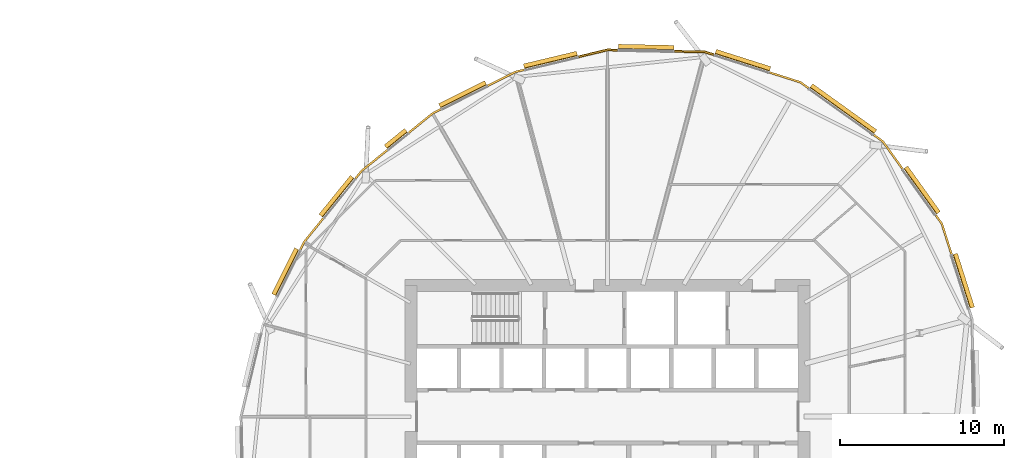
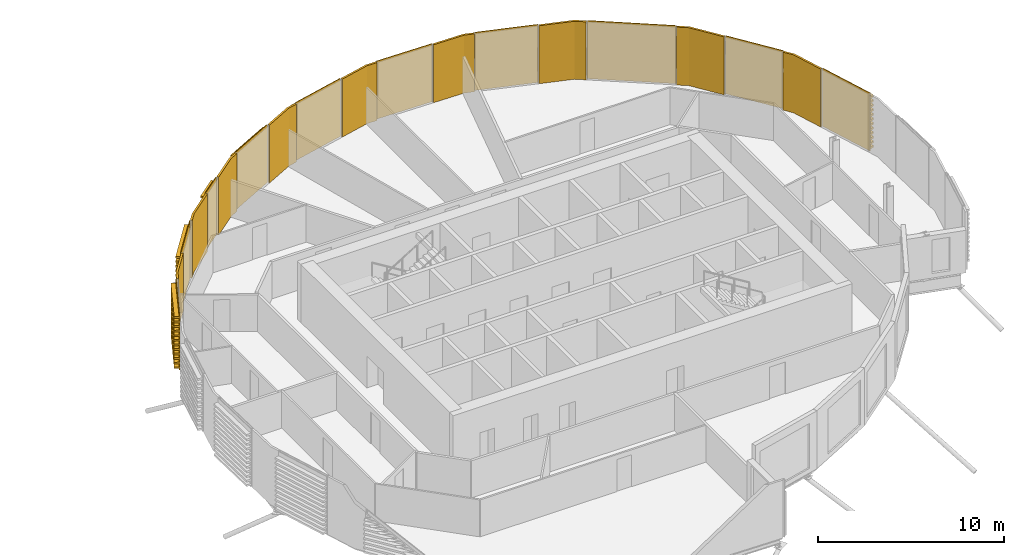
# One storey, part 42 of 42: 19 coverings.
"""IFC4 building model written with IfcOpenShell, lengths in metres."""

from ifc_helpers import new_model, si_unit, direction, frame, origin, place, context, subcontext, project, spatial, polyline, outline, extrude, material, layer, layer_set, material_profile, profile_set, type_object, element, save


model = new_model("IFC4")

# Units and contexts
model_context = context("Model", 3, precision=1e-05, world=origin(), true_north=direction((0.0, 1.0)))
body_context = subcontext(model_context, "Body", "Model", "MODEL_VIEW")
ifc_project = project(units=[si_unit("LENGTHUNIT", "METRE"), si_unit("AREAUNIT", "SQUARE_METRE"), si_unit("VOLUMEUNIT", "CUBIC_METRE"), si_unit("PLANEANGLEUNIT", "RADIAN"), si_unit("MASSUNIT", "GRAM", prefix="KILO")], contexts=[model_context])

# Site, building, storey
site_placement = place(None, origin())
site = spatial("IfcSite", under=ifc_project, at=site_placement, CompositionType="ELEMENT")
building_placement = place(site_placement, origin())
building = spatial("IfcBuilding", under=site, at=building_placement, Name="Rimbun Link Towers", CompositionType="ELEMENT")
storey_placement = place(building_placement, frame((0.0, 0.0, 85.39990234375)))
storey = spatial("IfcBuildingStorey", under=building, at=storey_placement, Name="L20", CompositionType="ELEMENT", Elevation=85.39990234375)

# Coverings
ifc_material_1 = material(Name="Terracotta", Category="masonry")
ifc_layer = layer(ifc_material_1, 0.1201171875)
ifc_layer_set = layer_set([ifc_layer], Name="LINK PIER terracotta cladding 120")
covering_type_1 = type_object("IfcCoveringType", Name="LINK PIER terracotta cladding 120", PredefinedType="CLADDING", material=ifc_layer_set)
covering_1_placement = place(storey_placement, origin())
element("IfcCovering", 1, at=covering_1_placement, inside=storey, type_object=covering_type_1, Name="LINK PIER cladding", PredefinedType="CLADDING", context=body_context, shape_type="SweptSolid", body=[
    extrude(outline(polyline([(47.96826171875, 17.1533203125), (48.5126953125, 16.7626953125), (49.719482421875, 15.080810546875), (49.81689453125, 15.150634765625), (48.5986328125, 16.8486328125), (48.0380859375, 17.250732421875), (47.96826171875, 17.1533203125)])), origin(), (0.0, 0.0, 1.0), 3.800048828125),
])
covering_2_placement = place(storey_placement, origin())
element("IfcCovering", 2, at=covering_2_placement, inside=storey, type_object=covering_type_1, Name="LINK PIER cladding", PredefinedType="CLADDING", context=body_context, shape_type="SweptSolid", body=[
    extrude(outline(polyline([(41.625732421875, 20.954345703125), (43.503173828125, 20.357177734375), (44.0068359375, 19.995849609375), (44.076904296875, 20.09326171875), (43.5576171875, 20.4658203125), (41.662109375, 21.068603515625), (41.625732421875, 20.954345703125)])), origin(), (0.0, 0.0, 1.0), 3.800048828125),
])
covering_3_placement = place(storey_placement, origin())
element("IfcCovering", 3, at=covering_3_placement, inside=storey, type_object=covering_type_1, Name="LINK PIER cladding", PredefinedType="CLADDING", context=body_context, shape_type="SweptSolid", body=[
    extrude(outline(polyline([(35.829833984375, 22.242431640625), (37.69921875, 22.202880859375), (38.242431640625, 22.0302734375), (38.27880859375, 22.14453125), (37.71923828125, 22.322509765625), (35.832275390625, 22.3623046875), (35.829833984375, 22.242431640625)])), origin(), (0.0, 0.0, 1.0), 3.800048828125),
])
covering_4_placement = place(storey_placement, origin())
element("IfcCovering", 4, at=covering_4_placement, inside=storey, type_object=covering_type_1, Name="LINK PIER cladding", PredefinedType="CLADDING", context=body_context, shape_type="SweptSolid", body=[
    extrude(outline(polyline([(29.97998046875, 21.905029296875), (31.75, 22.328369140625), (32.369873046875, 22.315185546875), (32.372314453125, 22.435302734375), (31.737060546875, 22.448486328125), (29.951904296875, 22.021728515625), (29.97998046875, 21.905029296875)])), origin(), (0.0, 0.0, 1.0), 3.800048828125),
])
covering_5_placement = place(storey_placement, origin())
element("IfcCovering", 5, at=covering_5_placement, inside=storey, type_object=covering_type_1, Name="LINK PIER cladding", PredefinedType="CLADDING", context=body_context, shape_type="SweptSolid", body=[
    extrude(outline(polyline([(24.456298828125, 20.14453125), (26.12744140625, 20.983642578125), (26.681884765625, 21.1162109375), (26.65380859375, 21.23291015625), (26.0859375, 21.09716796875), (24.40234375, 20.251708984375), (24.456298828125, 20.14453125)])), origin(), (0.0, 0.0, 1.0), 3.800048828125),
])
covering_6_placement = place(storey_placement, origin())
element("IfcCovering", 6, at=covering_6_placement, inside=storey, type_object=covering_type_1, Name="LINK PIER cladding", PredefinedType="CLADDING", context=body_context, shape_type="SweptSolid", body=[
    extrude(outline(polyline([(19.640869140625, 17.279541015625), (21.094482421875, 18.4560546875), (21.603759765625, 18.7119140625), (21.5498046875, 18.819091796875), (21.029052734375, 18.5576171875), (19.5654296875, 17.372802734375), (19.640869140625, 17.279541015625)])), origin(), (0.0, 0.0, 1.0), 3.800048828125),
])
covering_7_placement = place(storey_placement, origin())
element("IfcCovering", 7, at=covering_7_placement, inside=storey, type_object=covering_type_1, Name="LINK PIER cladding", PredefinedType="CLADDING", context=body_context, shape_type="SweptSolid", body=[
    extrude(outline(polyline([(16.393310546875, 14.484619140625), (16.783447265625, 14.966552734375), (18.353515625, 16.237548828125), (18.278076171875, 16.330810546875), (16.697998046875, 15.052001953125), (16.300048828125, 14.560302734375), (16.393310546875, 14.484619140625)])), origin(), (0.0, 0.0, 1.0), 3.800048828125),
])
covering_8_placement = place(storey_placement, origin())
element("IfcCovering", 8, at=covering_8_placement, inside=storey, type_object=covering_type_1, Name="LINK PIER cladding", PredefinedType="CLADDING", context=body_context, shape_type="SweptSolid", body=[
    extrude(outline(polyline([(13.0380859375, 10.146240234375), (13.2939453125, 10.655517578125), (14.43896484375, 12.0703125), (14.345703125, 12.145751953125), (13.1923828125, 10.720947265625), (12.930908203125, 10.2001953125), (13.0380859375, 10.146240234375)])), origin(), (0.0, 0.0, 1.0), 3.800048828125),
])
covering_9_placement = place(storey_placement, origin())
element("IfcCovering", 9, at=covering_9_placement, inside=storey, type_object=covering_type_1, Name="LINK PIER cladding", PredefinedType="CLADDING", context=body_context, shape_type="SweptSolid", body=[
    extrude(outline(polyline([(51.745849609375, 12.2568359375), (52.107177734375, 11.753173828125), (52.704345703125, 9.875732421875), (52.818603515625, 9.912109375), (52.2158203125, 11.8076171875), (51.84326171875, 12.326904296875), (51.745849609375, 12.2568359375)])), origin(), (0.0, 0.0, 1.0), 3.800048828125),
])
ifc_material_2 = material(Name="Terracotta", Category="masonry")
ifc_material_profile = material_profile(ifc_material_2, outline(polyline([(0.123046875, 0.0), (0.1630859375, 0.0), (0.1630859375, 0.10009765625), (0.423095703125, 0.10009765625), (0.423095703125, 0.219970703125), (0.1630859375, 0.219970703125), (0.1630859375, 0.39990234375), (0.423095703125, 0.39990234375), (0.423095703125, 0.52001953125), (0.1630859375, 0.52001953125), (0.1630859375, 0.699951171875), (0.423095703125, 0.699951171875), (0.423095703125, 0.820068359375), (0.1630859375, 0.820068359375), (0.1630859375, 1.0), (0.423095703125, 1.0), (0.423095703125, 1.1201171875), (0.1630859375, 1.1201171875), (0.1630859375, 1.300048828125), (0.423095703125, 1.300048828125), (0.423095703125, 1.419921875), (0.1630859375, 1.419921875), (0.1630859375, 1.60009765625), (0.423095703125, 1.60009765625), (0.423095703125, 1.719970703125), (0.1630859375, 1.719970703125), (0.1630859375, 1.89990234375), (0.423095703125, 1.89990234375), (0.423095703125, 2.02001953125), (0.1630859375, 2.02001953125), (0.1630859375, 2.199951171875), (0.423095703125, 2.199951171875), (0.423095703125, 2.320068359375), (0.1630859375, 2.320068359375), (0.1630859375, 2.5), (0.423095703125, 2.5), (0.423095703125, 2.6201171875), (0.1630859375, 2.6201171875), (0.1630859375, 2.800048828125), (0.423095703125, 2.800048828125), (0.423095703125, 2.919921875), (0.1630859375, 2.919921875), (0.1630859375, 3.10009765625), (0.423095703125, 3.10009765625), (0.423095703125, 3.219970703125), (0.1630859375, 3.219970703125), (0.1630859375, 3.39990234375), (0.423095703125, 3.39990234375), (0.423095703125, 3.52001953125), (0.1630859375, 3.52001953125), (0.1630859375, 3.800048828125), (0.123046875, 3.800048828125), (0.123046875, 0.0)])), Name="BAGUETTE 120X300")
ifc_profile_set = profile_set([ifc_material_profile], Name="Terracotta")
covering_type_2 = type_object("IfcCoveringType", Name="TERRACOTTA BAGUETTE 120X300 H3800", PredefinedType="CLADDING", material=ifc_profile_set)
covering_10_placement = place(storey_placement, frame((44.03125, 19.978271484375, 0.0), z_axis=(0.812464121007, -0.583011193784, 0.0), x_axis=(0.583011193784, 0.812464121007, 0.0)))
element("IfcCovering", 10, at=covering_10_placement, inside=storey, type_object=covering_type_2, Name="TERRACOTTA BAGUETTE", PredefinedType="CLADDING", context=body_context, shape_type="SweptSolid", body=[
    extrude(outline(polyline([(0.123046875, 0.0), (0.1630859375, 0.0), (0.1630859375, 0.10009765625), (0.423095703125, 0.10009765625), (0.423095703125, 0.219970703125), (0.1630859375, 0.219970703125), (0.1630859375, 0.39990234375), (0.423095703125, 0.39990234375), (0.423095703125, 0.52001953125), (0.1630859375, 0.52001953125), (0.1630859375, 0.699951171875), (0.423095703125, 0.699951171875), (0.423095703125, 0.820068359375), (0.1630859375, 0.820068359375), (0.1630859375, 1.0), (0.423095703125, 1.0), (0.423095703125, 1.1201171875), (0.1630859375, 1.1201171875), (0.1630859375, 1.300048828125), (0.423095703125, 1.300048828125), (0.423095703125, 1.419921875), (0.1630859375, 1.419921875), (0.1630859375, 1.60009765625), (0.423095703125, 1.60009765625), (0.423095703125, 1.719970703125), (0.1630859375, 1.719970703125), (0.1630859375, 1.89990234375), (0.423095703125, 1.89990234375), (0.423095703125, 2.02001953125), (0.1630859375, 2.02001953125), (0.1630859375, 2.199951171875), (0.423095703125, 2.199951171875), (0.423095703125, 2.320068359375), (0.1630859375, 2.320068359375), (0.1630859375, 2.5), (0.423095703125, 2.5), (0.423095703125, 2.6201171875), (0.1630859375, 2.6201171875), (0.1630859375, 2.800048828125), (0.423095703125, 2.800048828125), (0.423095703125, 2.919921875), (0.1630859375, 2.919921875), (0.1630859375, 3.10009765625), (0.423095703125, 3.10009765625), (0.423095703125, 3.219970703125), (0.1630859375, 3.219970703125), (0.1630859375, 3.39990234375), (0.423095703125, 3.39990234375), (0.423095703125, 3.52001953125), (0.1630859375, 3.52001953125), (0.1630859375, 3.800048828125), (0.123046875, 3.800048828125), (0.123046875, 0.0)])), origin(), (0.0, 0.0, 1.0), 4.815673828125),
])
covering_11_placement = place(storey_placement, frame((38.27099609375, 22.021240234375, 0.0), z_axis=(0.952964354956, -0.30308239504, 0.0), x_axis=(0.30308239504, 0.952964354956, 0.0)))
element("IfcCovering", 11, at=covering_11_placement, inside=storey, type_object=covering_type_2, Name="TERRACOTTA BAGUETTE", PredefinedType="CLADDING", context=body_context, shape_type="SweptSolid", body=[
    extrude(outline(polyline([(0.123046875, 0.0), (0.1630859375, 0.0), (0.1630859375, 0.10009765625), (0.423095703125, 0.10009765625), (0.423095703125, 0.219970703125), (0.1630859375, 0.219970703125), (0.1630859375, 0.39990234375), (0.423095703125, 0.39990234375), (0.423095703125, 0.52001953125), (0.1630859375, 0.52001953125), (0.1630859375, 0.699951171875), (0.423095703125, 0.699951171875), (0.423095703125, 0.820068359375), (0.1630859375, 0.820068359375), (0.1630859375, 1.0), (0.423095703125, 1.0), (0.423095703125, 1.1201171875), (0.1630859375, 1.1201171875), (0.1630859375, 1.300048828125), (0.423095703125, 1.300048828125), (0.423095703125, 1.419921875), (0.1630859375, 1.419921875), (0.1630859375, 1.60009765625), (0.423095703125, 1.60009765625), (0.423095703125, 1.719970703125), (0.1630859375, 1.719970703125), (0.1630859375, 1.89990234375), (0.423095703125, 1.89990234375), (0.423095703125, 2.02001953125), (0.1630859375, 2.02001953125), (0.1630859375, 2.199951171875), (0.423095703125, 2.199951171875), (0.423095703125, 2.320068359375), (0.1630859375, 2.320068359375), (0.1630859375, 2.5), (0.423095703125, 2.5), (0.423095703125, 2.6201171875), (0.1630859375, 2.6201171875), (0.1630859375, 2.800048828125), (0.423095703125, 2.800048828125), (0.423095703125, 2.919921875), (0.1630859375, 2.919921875), (0.1630859375, 3.10009765625), (0.423095703125, 3.10009765625), (0.423095703125, 3.219970703125), (0.1630859375, 3.219970703125), (0.1630859375, 3.39990234375), (0.423095703125, 3.39990234375), (0.423095703125, 3.52001953125), (0.1630859375, 3.52001953125), (0.1630859375, 3.800048828125), (0.123046875, 3.800048828125), (0.123046875, 0.0)])), origin(), (0.0, 0.0, 1.0), 3.490234375),
])
covering_12_placement = place(storey_placement, frame((32.39990234375, 22.314697265625, 0.0), z_axis=(0.999777224853, -0.021106886694, 0.0), x_axis=(0.021106886694, 0.999777224853, 0.0)))
element("IfcCovering", 12, at=covering_12_placement, inside=storey, type_object=covering_type_2, Name="TERRACOTTA BAGUETTE", PredefinedType="CLADDING", context=body_context, shape_type="SweptSolid", body=[
    extrude(outline(polyline([(0.123046875, 0.0), (0.1630859375, 0.0), (0.1630859375, 0.10009765625), (0.423095703125, 0.10009765625), (0.423095703125, 0.219970703125), (0.1630859375, 0.219970703125), (0.1630859375, 0.39990234375), (0.423095703125, 0.39990234375), (0.423095703125, 0.52001953125), (0.1630859375, 0.52001953125), (0.1630859375, 0.699951171875), (0.423095703125, 0.699951171875), (0.423095703125, 0.820068359375), (0.1630859375, 0.820068359375), (0.1630859375, 1.0), (0.423095703125, 1.0), (0.423095703125, 1.1201171875), (0.1630859375, 1.1201171875), (0.1630859375, 1.300048828125), (0.423095703125, 1.300048828125), (0.423095703125, 1.419921875), (0.1630859375, 1.419921875), (0.1630859375, 1.60009765625), (0.423095703125, 1.60009765625), (0.423095703125, 1.719970703125), (0.1630859375, 1.719970703125), (0.1630859375, 1.89990234375), (0.423095703125, 1.89990234375), (0.423095703125, 2.02001953125), (0.1630859375, 2.02001953125), (0.1630859375, 2.199951171875), (0.423095703125, 2.199951171875), (0.423095703125, 2.320068359375), (0.1630859375, 2.320068359375), (0.1630859375, 2.5), (0.423095703125, 2.5), (0.423095703125, 2.6201171875), (0.1630859375, 2.6201171875), (0.1630859375, 2.800048828125), (0.423095703125, 2.800048828125), (0.423095703125, 2.919921875), (0.1630859375, 2.919921875), (0.1630859375, 3.10009765625), (0.423095703125, 3.10009765625), (0.423095703125, 3.219970703125), (0.1630859375, 3.219970703125), (0.1630859375, 3.39990234375), (0.423095703125, 3.39990234375), (0.423095703125, 3.52001953125), (0.1630859375, 3.52001953125), (0.1630859375, 3.800048828125), (0.123046875, 3.800048828125), (0.123046875, 0.0)])), origin(), (0.0, 0.0, 1.0), 3.400634765625),
])
covering_13_placement = place(storey_placement, frame((26.7109375, 21.123291015625, 0.0), z_axis=(0.972583216264, 0.232555127747, 0.0), x_axis=(-0.232555127747, 0.972583216264, 0.0)))
element("IfcCovering", 13, at=covering_13_placement, inside=storey, type_object=covering_type_2, Name="TERRACOTTA BAGUETTE", PredefinedType="CLADDING", context=body_context, shape_type="SweptSolid", body=[
    extrude(outline(polyline([(0.123046875, 0.0), (0.1630859375, 0.0), (0.1630859375, 0.10009765625), (0.423095703125, 0.10009765625), (0.423095703125, 0.219970703125), (0.1630859375, 0.219970703125), (0.1630859375, 0.39990234375), (0.423095703125, 0.39990234375), (0.423095703125, 0.52001953125), (0.1630859375, 0.52001953125), (0.1630859375, 0.699951171875), (0.423095703125, 0.699951171875), (0.423095703125, 0.820068359375), (0.1630859375, 0.820068359375), (0.1630859375, 1.0), (0.423095703125, 1.0), (0.423095703125, 1.1201171875), (0.1630859375, 1.1201171875), (0.1630859375, 1.300048828125), (0.423095703125, 1.300048828125), (0.423095703125, 1.419921875), (0.1630859375, 1.419921875), (0.1630859375, 1.60009765625), (0.423095703125, 1.60009765625), (0.423095703125, 1.719970703125), (0.1630859375, 1.719970703125), (0.1630859375, 1.89990234375), (0.423095703125, 1.89990234375), (0.423095703125, 2.02001953125), (0.1630859375, 2.02001953125), (0.1630859375, 2.199951171875), (0.423095703125, 2.199951171875), (0.423095703125, 2.320068359375), (0.1630859375, 2.320068359375), (0.1630859375, 2.5), (0.423095703125, 2.5), (0.423095703125, 2.6201171875), (0.1630859375, 2.6201171875), (0.1630859375, 2.800048828125), (0.423095703125, 2.800048828125), (0.423095703125, 2.919921875), (0.1630859375, 2.919921875), (0.1630859375, 3.10009765625), (0.423095703125, 3.10009765625), (0.423095703125, 3.219970703125), (0.1630859375, 3.219970703125), (0.1630859375, 3.39990234375), (0.423095703125, 3.39990234375), (0.423095703125, 3.52001953125), (0.1630859375, 3.52001953125), (0.1630859375, 3.800048828125), (0.123046875, 3.800048828125), (0.123046875, 0.0)])), origin(), (0.0, 0.0, 1.0), 3.3310546875),
])
covering_14_placement = place(storey_placement, frame((21.630615234375, 18.725341796875, 0.0), z_axis=(0.893615044869, 0.448834213918, 0.0), x_axis=(-0.448834213918, 0.893615044869, 0.0)))
element("IfcCovering", 14, at=covering_14_placement, inside=storey, type_object=covering_type_2, Name="TERRACOTTA BAGUETTE", PredefinedType="CLADDING", context=body_context, shape_type="SweptSolid", body=[
    extrude(outline(polyline([(0.123046875, 0.0), (0.1630859375, 0.0), (0.1630859375, 0.10009765625), (0.423095703125, 0.10009765625), (0.423095703125, 0.219970703125), (0.1630859375, 0.219970703125), (0.1630859375, 0.39990234375), (0.423095703125, 0.39990234375), (0.423095703125, 0.52001953125), (0.1630859375, 0.52001953125), (0.1630859375, 0.699951171875), (0.423095703125, 0.699951171875), (0.423095703125, 0.820068359375), (0.1630859375, 0.820068359375), (0.1630859375, 1.0), (0.423095703125, 1.0), (0.423095703125, 1.1201171875), (0.1630859375, 1.1201171875), (0.1630859375, 1.300048828125), (0.423095703125, 1.300048828125), (0.423095703125, 1.419921875), (0.1630859375, 1.419921875), (0.1630859375, 1.60009765625), (0.423095703125, 1.60009765625), (0.423095703125, 1.719970703125), (0.1630859375, 1.719970703125), (0.1630859375, 1.89990234375), (0.423095703125, 1.89990234375), (0.423095703125, 2.02001953125), (0.1630859375, 2.02001953125), (0.1630859375, 2.199951171875), (0.423095703125, 2.199951171875), (0.423095703125, 2.320068359375), (0.1630859375, 2.320068359375), (0.1630859375, 2.5), (0.423095703125, 2.5), (0.423095703125, 2.6201171875), (0.1630859375, 2.6201171875), (0.1630859375, 2.800048828125), (0.423095703125, 2.800048828125), (0.423095703125, 2.919921875), (0.1630859375, 2.919921875), (0.1630859375, 3.10009765625), (0.423095703125, 3.10009765625), (0.423095703125, 3.219970703125), (0.1630859375, 3.219970703125), (0.1630859375, 3.39990234375), (0.423095703125, 3.39990234375), (0.423095703125, 3.52001953125), (0.1630859375, 3.52001953125), (0.1630859375, 3.800048828125), (0.123046875, 3.800048828125), (0.123046875, 0.0)])), origin(), (0.0, 0.0, 1.0), 3.132080078125),
])
covering_15_placement = place(storey_placement, frame((18.376708984375, 16.25634765625, 0.0), z_axis=(0.777305407687, 0.629123440336, 0.0), x_axis=(-0.629123440336, 0.777305407687, 0.0)))
element("IfcCovering", 15, at=covering_15_placement, inside=storey, type_object=covering_type_2, Name="TERRACOTTA BAGUETTE", PredefinedType="CLADDING", context=body_context, shape_type="SweptSolid", body=[
    extrude(outline(polyline([(0.123046875, 0.0), (0.1630859375, 0.0), (0.1630859375, 0.10009765625), (0.423095703125, 0.10009765625), (0.423095703125, 0.219970703125), (0.1630859375, 0.219970703125), (0.1630859375, 0.39990234375), (0.423095703125, 0.39990234375), (0.423095703125, 0.52001953125), (0.1630859375, 0.52001953125), (0.1630859375, 0.699951171875), (0.423095703125, 0.699951171875), (0.423095703125, 0.820068359375), (0.1630859375, 0.820068359375), (0.1630859375, 1.0), (0.423095703125, 1.0), (0.423095703125, 1.1201171875), (0.1630859375, 1.1201171875), (0.1630859375, 1.300048828125), (0.423095703125, 1.300048828125), (0.423095703125, 1.419921875), (0.1630859375, 1.419921875), (0.1630859375, 1.60009765625), (0.423095703125, 1.60009765625), (0.423095703125, 1.719970703125), (0.1630859375, 1.719970703125), (0.1630859375, 1.89990234375), (0.423095703125, 1.89990234375), (0.423095703125, 2.02001953125), (0.1630859375, 2.02001953125), (0.1630859375, 2.199951171875), (0.423095703125, 2.199951171875), (0.423095703125, 2.320068359375), (0.1630859375, 2.320068359375), (0.1630859375, 2.5), (0.423095703125, 2.5), (0.423095703125, 2.6201171875), (0.1630859375, 2.6201171875), (0.1630859375, 2.800048828125), (0.423095703125, 2.800048828125), (0.423095703125, 2.919921875), (0.1630859375, 2.919921875), (0.1630859375, 3.10009765625), (0.423095703125, 3.10009765625), (0.423095703125, 3.219970703125), (0.1630859375, 3.219970703125), (0.1630859375, 3.39990234375), (0.423095703125, 3.39990234375), (0.423095703125, 3.52001953125), (0.1630859375, 3.52001953125), (0.1630859375, 3.800048828125), (0.123046875, 3.800048828125), (0.123046875, 0.0)])), origin(), (0.0, 0.0, 1.0), 1.596435546875),
])
covering_16_placement = place(storey_placement, frame((14.457763671875, 12.093505859375, 0.0), z_axis=(0.629170563879, 0.777267265198, 0.0), x_axis=(-0.777267265198, 0.629170563879, 0.0)))
element("IfcCovering", 16, at=covering_16_placement, inside=storey, type_object=covering_type_2, Name="TERRACOTTA BAGUETTE", PredefinedType="CLADDING", context=body_context, shape_type="SweptSolid", body=[
    extrude(outline(polyline([(0.123046875, 0.0), (0.1630859375, 0.0), (0.1630859375, 0.10009765625), (0.423095703125, 0.10009765625), (0.423095703125, 0.219970703125), (0.1630859375, 0.219970703125), (0.1630859375, 0.39990234375), (0.423095703125, 0.39990234375), (0.423095703125, 0.52001953125), (0.1630859375, 0.52001953125), (0.1630859375, 0.699951171875), (0.423095703125, 0.699951171875), (0.423095703125, 0.820068359375), (0.1630859375, 0.820068359375), (0.1630859375, 1.0), (0.423095703125, 1.0), (0.423095703125, 1.1201171875), (0.1630859375, 1.1201171875), (0.1630859375, 1.300048828125), (0.423095703125, 1.300048828125), (0.423095703125, 1.419921875), (0.1630859375, 1.419921875), (0.1630859375, 1.60009765625), (0.423095703125, 1.60009765625), (0.423095703125, 1.719970703125), (0.1630859375, 1.719970703125), (0.1630859375, 1.89990234375), (0.423095703125, 1.89990234375), (0.423095703125, 2.02001953125), (0.1630859375, 2.02001953125), (0.1630859375, 2.199951171875), (0.423095703125, 2.199951171875), (0.423095703125, 2.320068359375), (0.1630859375, 2.320068359375), (0.1630859375, 2.5), (0.423095703125, 2.5), (0.423095703125, 2.6201171875), (0.1630859375, 2.6201171875), (0.1630859375, 2.800048828125), (0.423095703125, 2.800048828125), (0.423095703125, 2.919921875), (0.1630859375, 2.919921875), (0.1630859375, 3.10009765625), (0.423095703125, 3.10009765625), (0.423095703125, 3.219970703125), (0.1630859375, 3.219970703125), (0.1630859375, 3.39990234375), (0.423095703125, 3.39990234375), (0.423095703125, 3.52001953125), (0.1630859375, 3.52001953125), (0.1630859375, 3.800048828125), (0.123046875, 3.800048828125), (0.123046875, 0.0)])), origin(), (0.0, 0.0, 1.0), 3.04638671875),
])
covering_17_placement = place(storey_placement, frame((11.618896484375, 7.320556640625, 0.0), z_axis=(0.448834213918, 0.893615044869, 0.0), x_axis=(-0.893615044869, 0.448834213918, 0.0)))
element("IfcCovering", 17, at=covering_17_placement, inside=storey, type_object=covering_type_2, Name="TERRACOTTA BAGUETTE", PredefinedType="CLADDING", context=body_context, shape_type="SweptSolid", body=[
    extrude(outline(polyline([(0.123046875, 0.0), (0.1630859375, 0.0), (0.1630859375, 0.10009765625), (0.423095703125, 0.10009765625), (0.423095703125, 0.219970703125), (0.1630859375, 0.219970703125), (0.1630859375, 0.39990234375), (0.423095703125, 0.39990234375), (0.423095703125, 0.52001953125), (0.1630859375, 0.52001953125), (0.1630859375, 0.699951171875), (0.423095703125, 0.699951171875), (0.423095703125, 0.820068359375), (0.1630859375, 0.820068359375), (0.1630859375, 1.0), (0.423095703125, 1.0), (0.423095703125, 1.1201171875), (0.1630859375, 1.1201171875), (0.1630859375, 1.300048828125), (0.423095703125, 1.300048828125), (0.423095703125, 1.419921875), (0.1630859375, 1.419921875), (0.1630859375, 1.60009765625), (0.423095703125, 1.60009765625), (0.423095703125, 1.719970703125), (0.1630859375, 1.719970703125), (0.1630859375, 1.89990234375), (0.423095703125, 1.89990234375), (0.423095703125, 2.02001953125), (0.1630859375, 2.02001953125), (0.1630859375, 2.199951171875), (0.423095703125, 2.199951171875), (0.423095703125, 2.320068359375), (0.1630859375, 2.320068359375), (0.1630859375, 2.5), (0.423095703125, 2.5), (0.423095703125, 2.6201171875), (0.1630859375, 2.6201171875), (0.1630859375, 2.800048828125), (0.423095703125, 2.800048828125), (0.423095703125, 2.919921875), (0.1630859375, 2.919921875), (0.1630859375, 3.10009765625), (0.423095703125, 3.10009765625), (0.423095703125, 3.219970703125), (0.1630859375, 3.219970703125), (0.1630859375, 3.39990234375), (0.423095703125, 3.39990234375), (0.423095703125, 3.52001953125), (0.1630859375, 3.52001953125), (0.1630859375, 3.800048828125), (0.123046875, 3.800048828125), (0.123046875, 0.0)])), origin(), (0.0, 0.0, 1.0), 3.132080078125),
])
covering_18_placement = place(storey_placement, frame((52.71337890625, 9.84716796875, 0.0), z_axis=(0.303104060842, -0.952957464057, 0.0), x_axis=(0.952957464057, 0.303104060842, 0.0)))
element("IfcCovering", 18, at=covering_18_placement, inside=storey, type_object=covering_type_2, Name="TERRACOTTA BAGUETTE", PredefinedType="CLADDING", context=body_context, shape_type="SweptSolid", body=[
    extrude(outline(polyline([(0.123046875, 0.0), (0.1630859375, 0.0), (0.1630859375, 0.10009765625), (0.423095703125, 0.10009765625), (0.423095703125, 0.219970703125), (0.1630859375, 0.219970703125), (0.1630859375, 0.39990234375), (0.423095703125, 0.39990234375), (0.423095703125, 0.52001953125), (0.1630859375, 0.52001953125), (0.1630859375, 0.699951171875), (0.423095703125, 0.699951171875), (0.423095703125, 0.820068359375), (0.1630859375, 0.820068359375), (0.1630859375, 1.0), (0.423095703125, 1.0), (0.423095703125, 1.1201171875), (0.1630859375, 1.1201171875), (0.1630859375, 1.300048828125), (0.423095703125, 1.300048828125), (0.423095703125, 1.419921875), (0.1630859375, 1.419921875), (0.1630859375, 1.60009765625), (0.423095703125, 1.60009765625), (0.423095703125, 1.719970703125), (0.1630859375, 1.719970703125), (0.1630859375, 1.89990234375), (0.423095703125, 1.89990234375), (0.423095703125, 2.02001953125), (0.1630859375, 2.02001953125), (0.1630859375, 2.199951171875), (0.423095703125, 2.199951171875), (0.423095703125, 2.320068359375), (0.1630859375, 2.320068359375), (0.1630859375, 2.5), (0.423095703125, 2.5), (0.423095703125, 2.6201171875), (0.1630859375, 2.6201171875), (0.1630859375, 2.800048828125), (0.423095703125, 2.800048828125), (0.423095703125, 2.919921875), (0.1630859375, 2.919921875), (0.1630859375, 3.10009765625), (0.423095703125, 3.10009765625), (0.423095703125, 3.219970703125), (0.1630859375, 3.219970703125), (0.1630859375, 3.39990234375), (0.423095703125, 3.39990234375), (0.423095703125, 3.52001953125), (0.1630859375, 3.52001953125), (0.1630859375, 3.800048828125), (0.123046875, 3.800048828125), (0.123046875, 0.0)])), origin(), (0.0, 0.0, 1.0), 3.440185546875),
])
covering_19_placement = place(storey_placement, frame((49.73681640625, 15.056396484375, 0.0), z_axis=(0.583021739136, -0.812456553728, 0.0), x_axis=(0.812456553728, 0.583021739136, 0.0)))
element("IfcCovering", 19, at=covering_19_placement, inside=storey, type_object=covering_type_2, Name="TERRACOTTA BAGUETTE", PredefinedType="CLADDING", context=body_context, shape_type="SweptSolid", body=[
    extrude(outline(polyline([(0.123046875, 0.0), (0.1630859375, 0.0), (0.1630859375, 0.10009765625), (0.423095703125, 0.10009765625), (0.423095703125, 0.219970703125), (0.1630859375, 0.219970703125), (0.1630859375, 0.39990234375), (0.423095703125, 0.39990234375), (0.423095703125, 0.52001953125), (0.1630859375, 0.52001953125), (0.1630859375, 0.699951171875), (0.423095703125, 0.699951171875), (0.423095703125, 0.820068359375), (0.1630859375, 0.820068359375), (0.1630859375, 1.0), (0.423095703125, 1.0), (0.423095703125, 1.1201171875), (0.1630859375, 1.1201171875), (0.1630859375, 1.300048828125), (0.423095703125, 1.300048828125), (0.423095703125, 1.419921875), (0.1630859375, 1.419921875), (0.1630859375, 1.60009765625), (0.423095703125, 1.60009765625), (0.423095703125, 1.719970703125), (0.1630859375, 1.719970703125), (0.1630859375, 1.89990234375), (0.423095703125, 1.89990234375), (0.423095703125, 2.02001953125), (0.1630859375, 2.02001953125), (0.1630859375, 2.199951171875), (0.423095703125, 2.199951171875), (0.423095703125, 2.320068359375), (0.1630859375, 2.320068359375), (0.1630859375, 2.5), (0.423095703125, 2.5), (0.423095703125, 2.6201171875), (0.1630859375, 2.6201171875), (0.1630859375, 2.800048828125), (0.423095703125, 2.800048828125), (0.423095703125, 2.919921875), (0.1630859375, 2.919921875), (0.1630859375, 3.10009765625), (0.423095703125, 3.10009765625), (0.423095703125, 3.219970703125), (0.1630859375, 3.219970703125), (0.1630859375, 3.39990234375), (0.423095703125, 3.39990234375), (0.423095703125, 3.52001953125), (0.1630859375, 3.52001953125), (0.1630859375, 3.800048828125), (0.123046875, 3.800048828125), (0.123046875, 0.0)])), origin(), (0.0, 0.0, 1.0), 3.415771484375),
])

save(model, "model.ifc")
